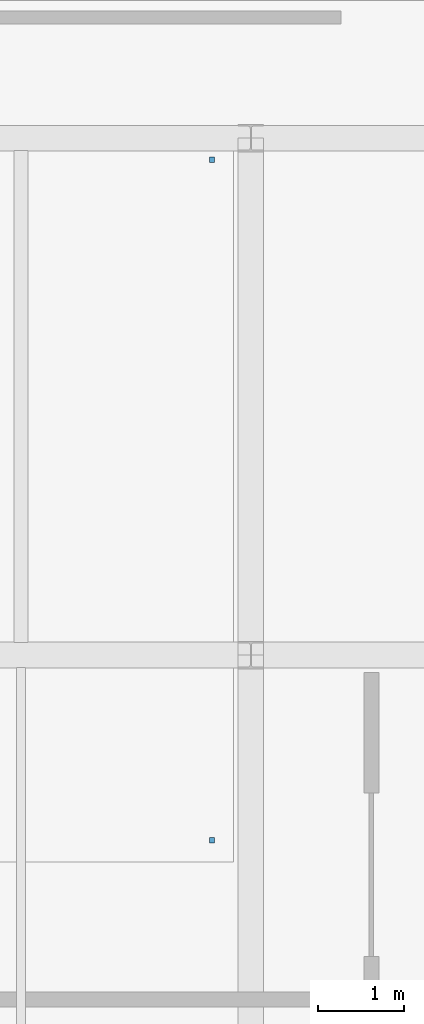
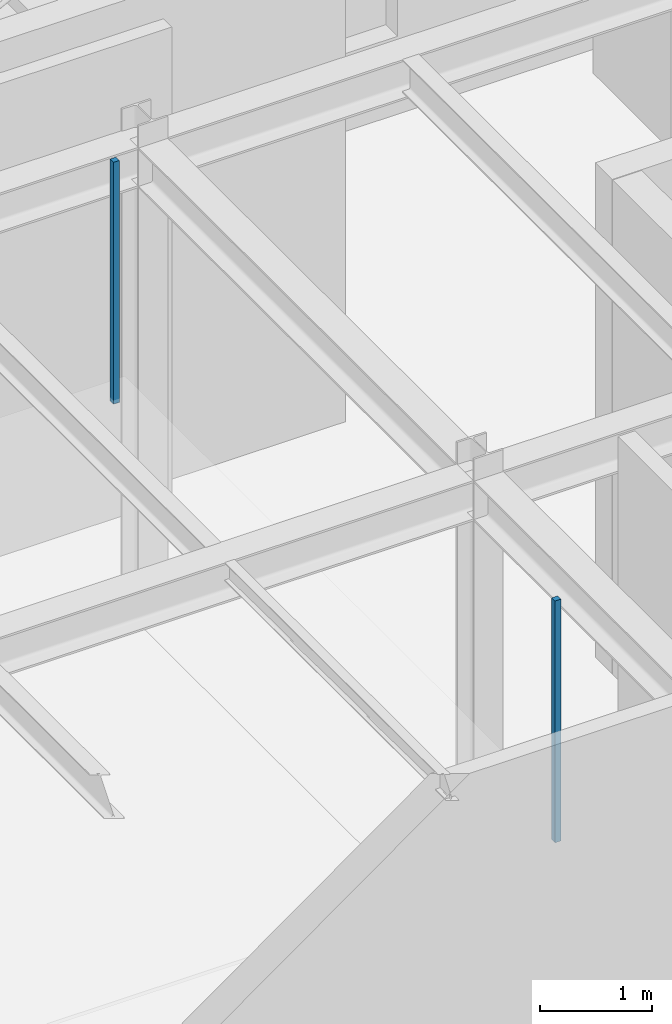
# One storey, part 95 of 129: 2 discrete accessories.
"""IFC4 building model written with IfcOpenShell, lengths in metres."""

import ifcopenshell
import ifcopenshell.guid

model = None  # the IFC model being written
_history = None  # IfcOwnerHistory: only IFC2X3 demands one
_inside = {}  # id of a spatial element -> (the spatial element, [elements in it])
_under = {}  # id of a project, library or spatial element -> (it, [spatial elements below it])
_declared = {}  # id of a project -> (the project, [libraries it declares])
_typed = {}  # id of a type object -> (the type object, [elements of that type])
_made_of = {}  # id of a material, layer set ... -> (it, [elements and type objects made of it])


def new_model(schema):
    """Start an empty IFC model of exactly this schema.

    Asked for "IFC4X3", IfcOpenShell would pick the latest addendum, in which some entities
    have other attributes; the version numbers below select the first issue.
    IFC2X3 requires an IfcOwnerHistory on every rooted entity: one is made here for all.
    """
    global model, _history
    if schema == "IFC4X3":
        model = ifcopenshell.file(schema_version=(4, 3, 0, 0))
    else:
        model = ifcopenshell.file(schema=schema)
    _inside.clear()
    _under.clear()
    _declared.clear()
    _typed.clear()
    _made_of.clear()
    _history = None
    if model.schema == "IFC2X3":
        org = make("IfcOrganization", Name="unknown")
        user = make(
            "IfcPersonAndOrganization",
            ThePerson=make("IfcPerson", FamilyName="unknown"),
            TheOrganization=org,
        )
        app = make(
            "IfcApplication",
            ApplicationDeveloper=org,
            Version="unknown",
            ApplicationFullName="unknown",
            ApplicationIdentifier="unknown",
        )
        _history = make(
            "IfcOwnerHistory",
            OwningUser=user,
            OwningApplication=app,
            ChangeAction="ADDED",
            CreationDate=0,
        )
    return model


def make(cls, **values):
    """One entity of the class cls with the attributes given. An attribute that is None is left unset."""
    return model.create_entity(
        cls, **{name: value for name, value in values.items() if value is not None}
    )


def rooted(cls, **values):
    """An entity with a GlobalId (a new one), such as an element, a storey or a relation."""
    return make(cls, GlobalId=ifcopenshell.guid.new(), OwnerHistory=_history, **values)


def si_unit(unit_type, name, prefix=None):
    """IfcSIUnit, for example si_unit("LENGTHUNIT", "METRE", prefix="MILLI")."""
    return make("IfcSIUnit", UnitType=unit_type, Prefix=prefix, Name=name)


def assignment(units):
    """IfcUnitAssignment: the units of a project."""
    return None if units is None else make("IfcUnitAssignment", Units=units)


def point(xyz):
    """IfcCartesianPoint."""
    return None if xyz is None else make("IfcCartesianPoint", Coordinates=xyz)


def direction(xyz):
    """IfcDirection."""
    return None if xyz is None else make("IfcDirection", DirectionRatios=xyz)


def frame(location, z_axis=None, x_axis=None):
    """IfcAxis2Placement3D, a coordinate frame: its origin and axes. An axis left out is left unset."""
    return make(
        "IfcAxis2Placement3D",
        Location=point(location),
        Axis=direction(z_axis),
        RefDirection=direction(x_axis),
    )


def frame_2d(location, x_axis=None):
    """IfcAxis2Placement2D, a coordinate frame in the plane: its origin and x axis."""
    return make(
        "IfcAxis2Placement2D", Location=point(location), RefDirection=direction(x_axis)
    )


def origin():
    """The frame at (0, 0, 0) with its axes left unset."""
    return frame((0.0, 0.0, 0.0))


def origin_2d():
    """The frame at (0, 0) in the plane with its x axis left unset."""
    return frame_2d((0.0, 0.0))


def place(relative_to, where):
    """IfcLocalPlacement: puts the frame where relative to a parent placement (None: the world)."""
    return make(
        "IfcLocalPlacement", PlacementRelTo=relative_to, RelativePlacement=where
    )


def context(
    kind, dimensions, precision=None, world=None, true_north=None, identifier=None
):
    """IfcGeometricRepresentationContext, for example the 3D "Model" context."""
    return make(
        "IfcGeometricRepresentationContext",
        ContextIdentifier=identifier,
        ContextType=kind,
        CoordinateSpaceDimension=dimensions,
        Precision=precision,
        WorldCoordinateSystem=world,
        TrueNorth=true_north,
    )


def subcontext(parent, identifier, kind, view, scale=None):
    """IfcGeometricRepresentationSubContext, for example "Body" below "Model"."""
    return make(
        "IfcGeometricRepresentationSubContext",
        ContextIdentifier=identifier,
        ContextType=kind,
        ParentContext=parent,
        TargetScale=scale,
        TargetView=view,
    )


def project(units=None, contexts=None):
    """IfcProject with its units and contexts."""
    return rooted(
        "IfcProject",
        Name="project",
        RepresentationContexts=contexts,
        UnitsInContext=assignment(units),
    )


def spatial(cls, under=None, at=None, **own):
    """A site, building, storey or space (cls), placed at a placement, below another one or the project."""
    s = rooted(cls, ObjectPlacement=at, **own)
    if under is not None:
        _under.setdefault(under.id(), (under, []))[1].append(s)
    return s


def profile(cls, at=None, kind="AREA", **sizes):
    """A parametric profile (cls). Its sizes go by their IFC names, for example OverallWidth=200.0."""
    return make(cls, ProfileType=kind, Position=at, **sizes)


def rectangle(**sizes):
    """IfcRectangleProfileDef."""
    return profile("IfcRectangleProfileDef", **sizes)


def extrude(swept, where, along, depth):
    """IfcExtrudedAreaSolid: the profile swept, set in the frame where, extruded along a direction by depth."""
    return make(
        "IfcExtrudedAreaSolid",
        SweptArea=swept,
        Position=where,
        ExtrudedDirection=direction(along),
        Depth=depth,
    )


def shape(context_of_items, identifier, shape_type, items):
    """IfcShapeRepresentation: the items that make up one representation, for example the "Body"."""
    return make(
        "IfcShapeRepresentation",
        ContextOfItems=context_of_items,
        RepresentationIdentifier=identifier,
        RepresentationType=shape_type,
        Items=items,
    )


def material(Name=None, Category=None):
    """IfcMaterial."""
    return make("IfcMaterial", Name=Name, Category=Category)


def made_of(thing, what):
    """Note that an element or type object is made of a material, layer set ...; save() writes the relation."""
    if what is not None:
        _made_of.setdefault(what.id(), (what, []))[1].append(thing)
    return thing


def type_object(cls, material=None, **own):
    """A type object (cls), such as IfcWallType, which elements share."""
    return made_of(rooted(cls, **own), material)


def element(
    cls,
    number,
    at=None,
    inside=None,
    cuts=None,
    type_object=None,
    material=None,
    context=None,
    identifier="Body",
    shape_type=None,
    held_by="IfcProductDefinitionShape",
    body=None,
    shapes=None,
    **own,
):
    """One element of the class cls, such as IfcWall. Its Tag is "e" and its number.

    at: its placement. inside: the storey or other place that contains it. cuts: it is an
    opening in that element (IfcRelVoidsElement). A single representation is given by context,
    identifier, shape_type and body (its items); several are given by shapes. held_by: the class
    of the entity that holds the representations. save() writes the other relations.
    """
    e = rooted(cls, Tag="e%d" % number, ObjectPlacement=at, **own)
    if body is not None:
        shapes = [shape(context, identifier, shape_type, body)]
    if shapes is not None:
        e.Representation = make(held_by, Representations=shapes)
    if inside is not None:
        _inside.setdefault(inside.id(), (inside, []))[1].append(e)
    if cuts is not None:
        rooted(
            "IfcRelVoidsElement", RelatingBuildingElement=cuts, RelatedOpeningElement=e
        )
    if type_object is not None:
        _typed.setdefault(type_object.id(), (type_object, []))[1].append(e)
    return made_of(e, material)


def aggregate(whole, parts):
    """IfcRelAggregates: a whole, such as a stair, and the parts it consists of."""
    return rooted("IfcRelAggregates", RelatingObject=whole, RelatedObjects=parts)


def save(model, path):
    """Write the relations noted so far, then the file.

    IfcRelAggregates (storeys below a building ...), IfcRelContainedInSpatialStructure (elements
    in a storey), IfcRelDefinesByType, IfcRelAssociatesMaterial and IfcRelDeclares: one each for
    every whole, place, type object, material and project.
    """
    for whole, parts in _under.values():
        aggregate(whole, parts)
    for where, things in _inside.values():
        rooted(
            "IfcRelContainedInSpatialStructure",
            RelatedElements=things,
            RelatingStructure=where,
        )
    for kind, things in _typed.values():
        rooted("IfcRelDefinesByType", RelatedObjects=things, RelatingType=kind)
    for what, things in _made_of.values():
        rooted("IfcRelAssociatesMaterial", RelatedObjects=things, RelatingMaterial=what)
    for by, libraries in _declared.values():
        rooted("IfcRelDeclares", RelatingContext=by, RelatedDefinitions=libraries)
    model.write(path)


model = new_model("IFC4")

# Units and contexts
model_context = context("Model", 3, precision=1e-05, world=origin(), true_north=direction((0.0, 1.0)))
body_context = subcontext(model_context, "Body", "Model", "MODEL_VIEW")
ifc_project = project(units=[si_unit("LENGTHUNIT", "METRE"), si_unit("AREAUNIT", "SQUARE_METRE"), si_unit("VOLUMEUNIT", "CUBIC_METRE"), si_unit("PLANEANGLEUNIT", "RADIAN"), si_unit("MASSUNIT", "GRAM", prefix="KILO")], contexts=[model_context])

# Site, building, storey
site_placement = place(None, origin())
site = spatial("IfcSite", under=ifc_project, at=site_placement, CompositionType="ELEMENT")
building_placement = place(site_placement, origin())
building = spatial("IfcBuilding", under=site, at=building_placement, Name="Sundkrona Museum", CompositionType="ELEMENT")
storey_placement = place(building_placement, origin())
storey = spatial("IfcBuildingStorey", under=building, at=storey_placement, Name="L00", CompositionType="ELEMENT", Elevation=0.0)

# Discrete accessories
ifc_material = material(Name="Stainless Steel EN 1.4404 Cleat", Category="steel")
discrete_accessory_type = type_object("IfcDiscreteAccessoryType", Name="BRK-FIN-01", PredefinedType="BRACKET", material=ifc_material)
for number, where, z_axis, x_axis, name in (
    (1, (47.550048828125, 99.85009765625, 2.55029296875), (0.0, 0.0, 1.0), (1.0, 0.0, 0.0), "L00 Temporary Exhibition Hall Ceiling Hanger 2"),
    (2, (47.550048828125, 107.75, 2.55029296875), (0.0, 0.0, 1.0), (1.0, 0.0, 0.0), "L00 Temporary Exhibition Hall Ceiling Hanger 3"),
):
    element("IfcDiscreteAccessory", number, at=place(storey_placement, frame(where, z_axis=z_axis, x_axis=x_axis)), inside=storey, type_object=discrete_accessory_type, Name=name, PredefinedType="BRACKET", context=body_context, shape_type="SweptSolid", body=[
        extrude(rectangle(XDim=0.06005859375, YDim=0.06005859375, at=origin_2d()), origin(), (0.0, 0.0, 1.0), 2.639892578125),
    ])

save(model, "model.ifc")
